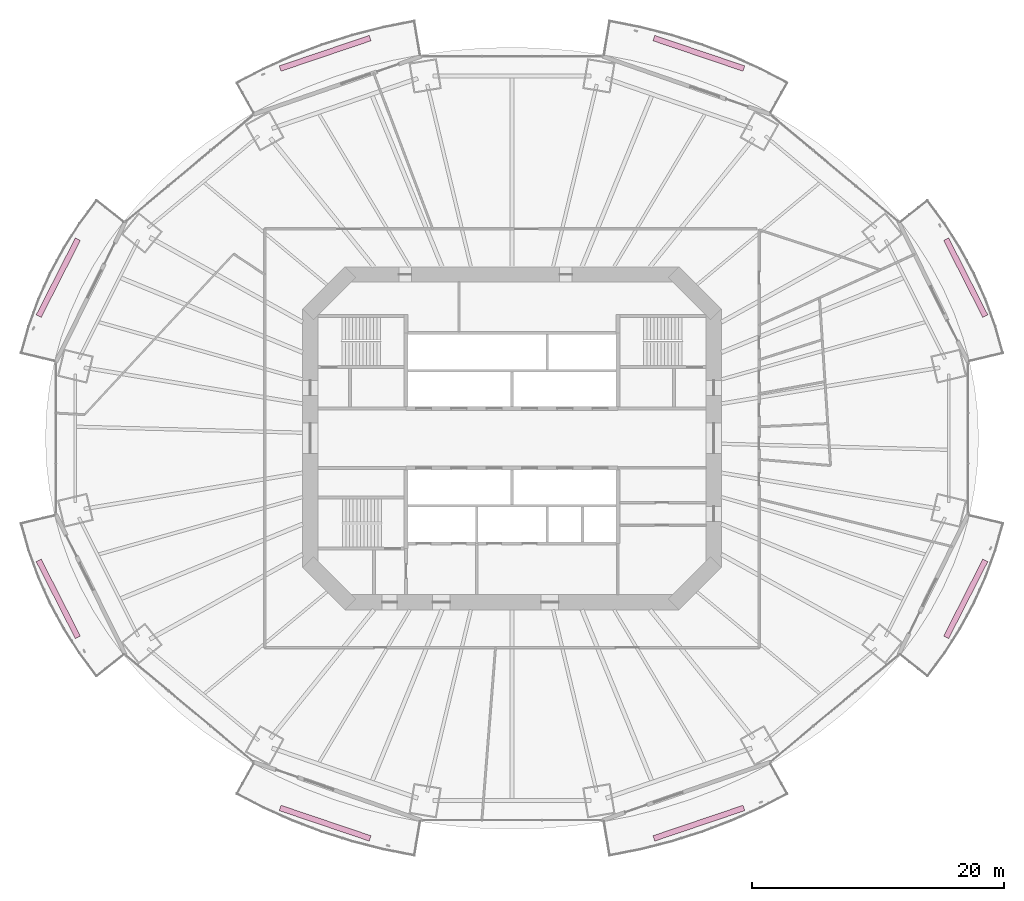
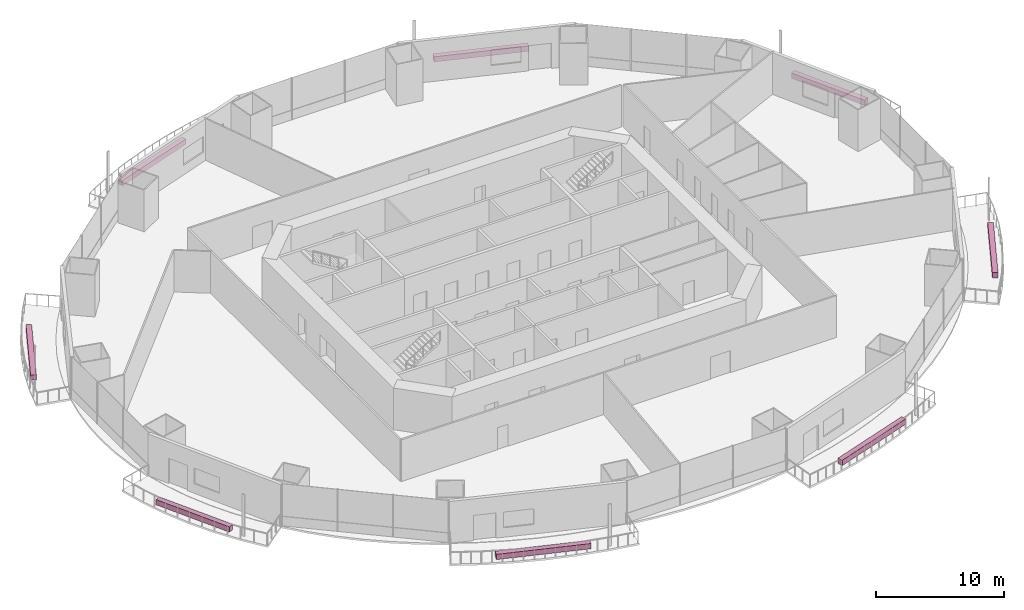
# One storey, part 23 of 23: 8 furnishings.
"""IFC4 building model written with IfcOpenShell, lengths in metres."""

from ifc_helpers import new_model, si_unit, direction, frame, origin, origin_2d, place, context, subcontext, project, spatial, rectangle, extrude, material, type_object, element, save


model = new_model("IFC4")

# Units and contexts
model_context = context("Model", 3, precision=1e-05, world=origin(), true_north=direction((0.0, 1.0)))
body_context = subcontext(model_context, "Body", "Model", "MODEL_VIEW")
ifc_project = project(units=[si_unit("LENGTHUNIT", "METRE"), si_unit("AREAUNIT", "SQUARE_METRE"), si_unit("VOLUMEUNIT", "CUBIC_METRE"), si_unit("PLANEANGLEUNIT", "RADIAN"), si_unit("MASSUNIT", "GRAM", prefix="KILO")], contexts=[model_context])

# Site, building, storey
site_placement = place(None, origin())
site = spatial("IfcSite", under=ifc_project, at=site_placement, CompositionType="ELEMENT")
building_placement = place(site_placement, origin())
building = spatial("IfcBuilding", under=site, at=building_placement, Name="Marenthal Gate Tower", CompositionType="ELEMENT")
storey_placement = place(building_placement, frame((0.0, 0.0, 37.14990234375)))
storey = spatial("IfcBuildingStorey", under=building, at=storey_placement, Name="L05", CompositionType="ELEMENT", Elevation=37.14990234375)

# Furnishings
ifc_material = material(Name="Planting soil and foliage", Category="planting")
furnishing_element_type = type_object("IfcFurnishingElementType", Name="Balcony PLANTER trough", material=ifc_material)
furnishing_1_placement = place(storey_placement, frame((35.97607421875, 12.739013671875, -0.039794921875), z_axis=(0.0, 0.0, 1.0), x_axis=(-0.453436703077, 0.891288480966, 0.0)))
element("IfcFurnishingElement", 1, at=furnishing_1_placement, inside=storey, type_object=furnishing_element_type, Name="Balcony PLANTER L05 bay 1", ObjectType="PLANTER", context=body_context, shape_type="SweptSolid", body=[
    extrude(rectangle(XDim=6.84423828125, YDim=0.449951171875, at=origin_2d()), origin(), (0.0, 0.0, 1.0), 0.5),
])
for number, where, z_axis, x_axis, name in (
    (2, (14.8193359375, 30.52294921875, -0.039794921875), (0.0, 0.0, 1.0), (-0.947262810404, 0.320457747646, 0.0), "Balcony PLANTER L05 bay 3"),
    (3, (-14.8193359375, 30.52294921875, -0.039794921875), (0.0, 0.0, 1.0), (-0.947262810404, -0.320457747646, 0.0), "Balcony PLANTER L05 bay 5"),
):
    element("IfcFurnishingElement", number, at=place(storey_placement, frame(where, z_axis=z_axis, x_axis=x_axis)), inside=storey, type_object=furnishing_element_type, Name=name, ObjectType="PLANTER", context=body_context, shape_type="SweptSolid", body=[
        extrude(rectangle(XDim=7.5400390625, YDim=0.449951171875, at=origin_2d()), origin(), (0.0, 0.0, 1.0), 0.5),
    ])
for number, where, z_axis, x_axis, name in (
    (4, (-35.97607421875, 12.739013671875, -0.039794921875), (0.0, 0.0, 1.0), (-0.453436703077, -0.891288480966, 0.0), "Balcony PLANTER L05 bay 7"),
    (5, (-35.97607421875, -12.739013671875, -0.039794921875), (0.0, 0.0, 1.0), (0.453436703077, -0.891288480966, 0.0), "Balcony PLANTER L05 bay 9"),
):
    element("IfcFurnishingElement", number, at=place(storey_placement, frame(where, z_axis=z_axis, x_axis=x_axis)), inside=storey, type_object=furnishing_element_type, Name=name, ObjectType="PLANTER", context=body_context, shape_type="SweptSolid", body=[
        extrude(rectangle(XDim=6.84423828125, YDim=0.449951171875, at=origin_2d()), origin(), (0.0, 0.0, 1.0), 0.5),
    ])
for number, where, z_axis, x_axis, name in (
    (6, (-14.8193359375, -30.52294921875, -0.039794921875), (0.0, 0.0, 1.0), (0.947262810404, -0.320457747646, 0.0), "Balcony PLANTER L05 bay 11"),
    (7, (14.8193359375, -30.52294921875, -0.039794921875), (0.0, 0.0, 1.0), (0.947262810404, 0.320457747646, 0.0), "Balcony PLANTER L05 bay 13"),
):
    element("IfcFurnishingElement", number, at=place(storey_placement, frame(where, z_axis=z_axis, x_axis=x_axis)), inside=storey, type_object=furnishing_element_type, Name=name, ObjectType="PLANTER", context=body_context, shape_type="SweptSolid", body=[
        extrude(rectangle(XDim=7.5400390625, YDim=0.449951171875, at=origin_2d()), origin(), (0.0, 0.0, 1.0), 0.5),
    ])
furnishing_2_placement = place(storey_placement, frame((35.97607421875, -12.739013671875, -0.039794921875), z_axis=(0.0, 0.0, 1.0), x_axis=(0.453436703077, 0.891288480966, 0.0)))
element("IfcFurnishingElement", 8, at=furnishing_2_placement, inside=storey, type_object=furnishing_element_type, Name="Balcony PLANTER L05 bay 15", ObjectType="PLANTER", context=body_context, shape_type="SweptSolid", body=[
    extrude(rectangle(XDim=6.84423828125, YDim=0.449951171875, at=origin_2d()), origin(), (0.0, 0.0, 1.0), 0.5),
])

save(model, "model.ifc")
